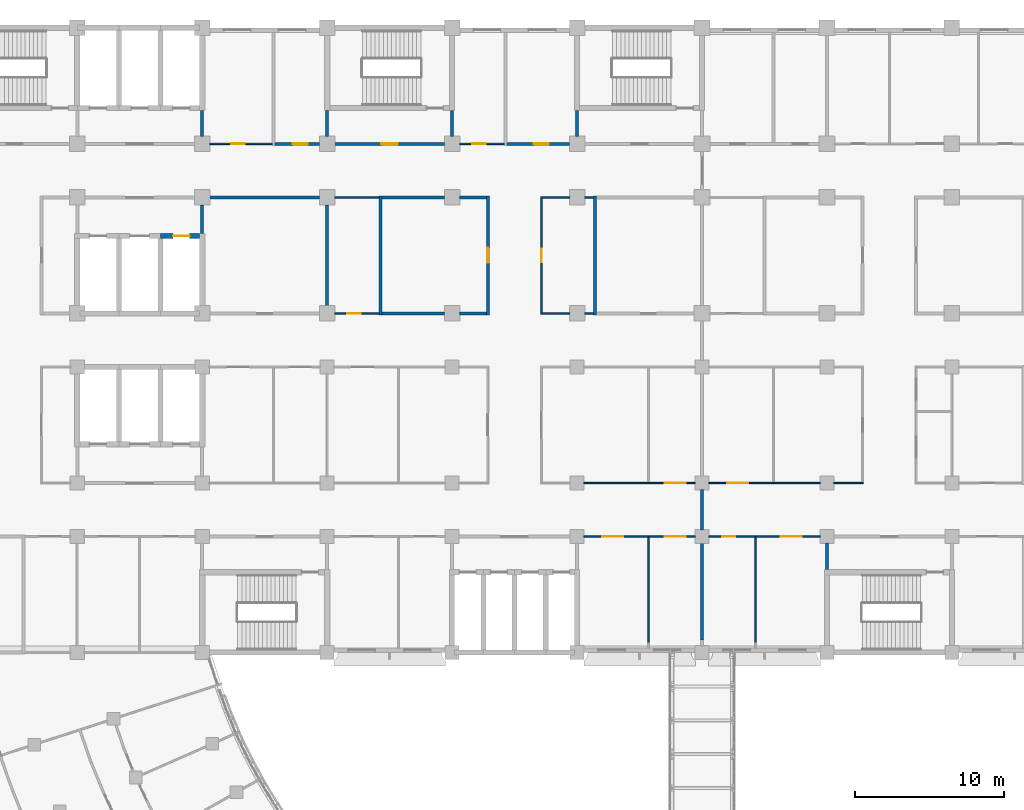
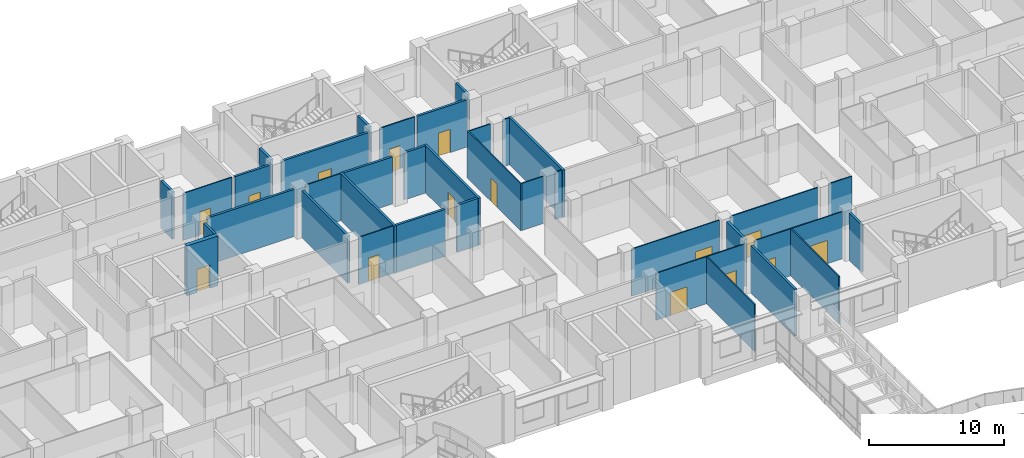
# One storey, part 73 of 136: 37 walls, 15 doors, 15 openings.
"""IFC4 building model written with IfcOpenShell, lengths in metres."""

from ifc_helpers import new_model, si_unit, direction, frame, frame_2d, origin, place, context, subcontext, project, spatial, rectangle, extrude, material, layer, layer_set, type_object, element, fill, save


model = new_model("IFC4")

# Units and contexts
model_context = context("Model", 3, precision=1e-05, world=origin(), true_north=direction((0.0, 1.0)))
body_context = subcontext(model_context, "Body", "Model", "MODEL_VIEW")
ifc_project = project(units=[si_unit("LENGTHUNIT", "METRE"), si_unit("AREAUNIT", "SQUARE_METRE"), si_unit("VOLUMEUNIT", "CUBIC_METRE"), si_unit("PLANEANGLEUNIT", "RADIAN"), si_unit("MASSUNIT", "GRAM", prefix="KILO")], contexts=[model_context])

# Site, building, storey
site_placement = place(None, origin())
site = spatial("IfcSite", under=ifc_project, at=site_placement, CompositionType="ELEMENT")
building_placement = place(site_placement, origin())
building = spatial("IfcBuilding", under=site, at=building_placement, Name="Bougainvillea Quay General Hospital", CompositionType="ELEMENT")
storey_placement = place(building_placement, frame((0.0, 0.0, 5.39990234375)))
storey = spatial("IfcBuildingStorey", under=building, at=storey_placement, Name="L01", CompositionType="ELEMENT", Elevation=5.39990234375)

# Wall
ifc_material_1 = material(Name="Gypsum board partition on steel studs", Category="steel")
ifc_layer_1 = layer(ifc_material_1, 0.10009765625)
ifc_layer_set_1 = layer_set([ifc_layer_1], Name="Gypsum board partition on steel studs")
wall_type_1 = type_object("IfcWallType", Name="Partition 100 Gypsum board partition", PredefinedType="PARTITIONING", material=ifc_layer_set_1)
wall_1_placement = place(storey_placement, frame((120.050048828125, 129.0, 0.0), z_axis=(0.0, 0.0, 1.0), x_axis=(-1.0, 0.0, 0.0)))
element("IfcWall", 1, at=wall_1_placement, inside=storey, type_object=wall_type_1, Name="Partition 100 mm", PredefinedType="PARTITIONING", context=body_context, shape_type="SweptSolid", body=[
    extrude(rectangle(XDim=2.0, YDim=0.10009765625, at=frame_2d((1.0, 0.0))), origin(), (0.0, 0.0, 1.0), 4.25),
])

# Wall, opening, door
wall_2_placement = place(storey_placement, frame((117.14990234375, 129.0, 0.0), z_axis=(0.0, 0.0, 1.0), x_axis=(-1.0, 0.0, 0.0)))
wall_2 = element("IfcWall", 2, at=wall_2_placement, inside=storey, type_object=wall_type_1, Name="Partition 100 mm", PredefinedType="PARTITIONING", context=body_context, shape_type="SweptSolid", body=[
    extrude(rectangle(XDim=7.5, YDim=0.10009765625, at=frame_2d((3.75, 0.0))), origin(), (0.0, 0.0, 1.0), 4.25),
])
opening_1_placement = place(wall_2_placement, frame((4.85009765625, 0.0, 0.0)))
opening_1 = element("IfcOpeningElement", 3, at=opening_1_placement, cuts=wall_2, Name="Opening L01.153", PredefinedType="OPENING", context=body_context, shape_type="SweptSolid", body=[
    extrude(rectangle(XDim=1.39990234375, YDim=2.10009765625, at=frame_2d((0.699951171875, 1.050048828125))), frame((0.0, 0.06005859375, 0.0), z_axis=(0.0, -1.0, 0.0), x_axis=(1.0, 0.0, 0.0)), (0.0, 0.0, 1.0), 0.1201171875),
])
ifc_material_2 = material(Name="Solid-core timber door leaves in steel frame", Category="steel")
door_type_1 = type_object("IfcDoorType", Name="Bed door pair 1400x2100", OperationType="DOUBLE_DOOR_SINGLE_SWING", PredefinedType="DOOR", material=ifc_material_2)
door_1_placement = place(opening_1_placement, frame((1.39990234375, 0.0, 0.0), z_axis=(0.0, 0.0, 1.0), x_axis=(-1.0, 0.0, 0.0)))
door_1 = element("IfcDoor", 4, at=door_1_placement, inside=storey, type_object=door_type_1, Name="DT09 L01.153", OperationType="DOUBLE_DOOR_SINGLE_SWING", OverallHeight=2.10009765625, OverallWidth=1.39990234375, PredefinedType="DOOR", context=body_context, shape_type="SweptSolid", body=[
    extrude(rectangle(XDim=1.39990234375, YDim=2.10009765625, at=frame_2d((0.699951171875, 1.050048828125))), frame((0.0, 0.02490234375, 0.0), z_axis=(0.0, -1.0, 0.0), x_axis=(1.0, 0.0, 0.0)), (0.0, 0.0, 1.0), 0.050048828125),
])
fill(opening_1, door_1)

wall_3_placement = place(storey_placement, frame((108.75, 129.0, 0.0), z_axis=(0.0, 0.0, 1.0), x_axis=(-1.0, 0.0, 0.0)))
wall_3 = element("IfcWall", 5, at=wall_3_placement, inside=storey, type_object=wall_type_1, Name="Partition 100 mm", PredefinedType="PARTITIONING", context=body_context, shape_type="SweptSolid", body=[
    extrude(rectangle(XDim=7.5, YDim=0.10009765625, at=frame_2d((3.75, 0.0))), origin(), (0.0, 0.0, 1.0), 4.25),
])
opening_2_placement = place(wall_3_placement, frame((0.64990234375, 0.0, 0.0)))
opening_2 = element("IfcOpeningElement", 6, at=opening_2_placement, cuts=wall_3, Name="Opening L01.152", PredefinedType="OPENING", context=body_context, shape_type="SweptSolid", body=[
    extrude(rectangle(XDim=1.39990234375, YDim=2.10009765625, at=frame_2d((0.699951171875, 1.050048828125))), frame((0.0, 0.06005859375, 0.0), z_axis=(0.0, -1.0, 0.0), x_axis=(1.0, 0.0, 0.0)), (0.0, 0.0, 1.0), 0.1201171875),
])
door_2_placement = place(opening_2_placement, frame((1.39990234375, 0.0, 0.0), z_axis=(0.0, 0.0, 1.0), x_axis=(-1.0, 0.0, 0.0)))
door_2 = element("IfcDoor", 7, at=door_2_placement, inside=storey, type_object=door_type_1, Name="DT09 L01.152", OperationType="DOUBLE_DOOR_SINGLE_SWING", OverallHeight=2.10009765625, OverallWidth=1.39990234375, PredefinedType="DOOR", context=body_context, shape_type="SweptSolid", body=[
    extrude(rectangle(XDim=1.39990234375, YDim=2.10009765625, at=frame_2d((0.699951171875, 1.050048828125))), frame((0.0, 0.02490234375, 0.0), z_axis=(0.0, -1.0, 0.0), x_axis=(1.0, 0.0, 0.0)), (0.0, 0.0, 1.0), 0.050048828125),
])
fill(opening_2, door_2)

# Wall, openings, doors
wall_4_placement = place(storey_placement, frame((117.14990234375, 125.39990234375, 0.0), z_axis=(0.0, 0.0, 1.0), x_axis=(-1.0, 0.0, 0.0)))
wall_4 = element("IfcWall", 8, at=wall_4_placement, inside=storey, type_object=wall_type_1, Name="Partition 100 mm", PredefinedType="PARTITIONING", context=body_context, shape_type="SweptSolid", body=[
    extrude(rectangle(XDim=7.5, YDim=0.10009765625, at=frame_2d((3.75, 0.0))), origin(), (0.0, 0.0, 1.0), 4.25),
])
opening_3_placement = place(wall_4_placement, frame((5.700927734375, 0.0, 0.0)))
opening_3 = element("IfcOpeningElement", 9, at=opening_3_placement, cuts=wall_4, Name="Opening L01.145", PredefinedType="OPENING", context=body_context, shape_type="SweptSolid", body=[
    extrude(rectangle(XDim=0.89990234375, YDim=2.10009765625, at=frame_2d((0.449951171875, 1.050048828125))), frame((0.0, 0.06005859375, 0.0), z_axis=(0.0, -1.0, 0.0), x_axis=(1.0, 0.0, 0.0)), (0.0, 0.0, 1.0), 0.1201171875),
])
opening_4_placement = place(wall_4_placement, frame((1.251953125, 0.0, 0.0)))
opening_4 = element("IfcOpeningElement", 10, at=opening_4_placement, cuts=wall_4, Name="Opening L01.146", PredefinedType="OPENING", context=body_context, shape_type="SweptSolid", body=[
    extrude(rectangle(XDim=1.39990234375, YDim=2.10009765625, at=frame_2d((0.699951171875, 1.050048828125))), frame((0.0, 0.06005859375, 0.0), z_axis=(0.0, -1.0, 0.0), x_axis=(1.0, 0.0, 0.0)), (0.0, 0.0, 1.0), 0.1201171875),
])
door_3_placement = place(opening_4_placement, origin())
door_3 = element("IfcDoor", 11, at=door_3_placement, inside=storey, type_object=door_type_1, Name="DT09 L01.146", OperationType="DOUBLE_DOOR_SINGLE_SWING", OverallHeight=2.10009765625, OverallWidth=1.39990234375, PredefinedType="DOOR", context=body_context, shape_type="SweptSolid", body=[
    extrude(rectangle(XDim=1.39990234375, YDim=2.10009765625, at=frame_2d((0.699951171875, 1.050048828125))), frame((0.0, 0.02490234375, 0.0), z_axis=(0.0, -1.0, 0.0), x_axis=(1.0, 0.0, 0.0)), (0.0, 0.0, 1.0), 0.050048828125),
])
fill(opening_4, door_3)
ifc_material_3 = material(Name="Solid-core timber door leaf in steel frame", Category="steel")
door_type_2 = type_object("IfcDoorType", Name="Single leaf door 900x2100", OperationType="NOTDEFINED", PredefinedType="DOOR", material=ifc_material_3)
door_4_placement = place(opening_3_placement, origin())
door_4 = element("IfcDoor", 12, at=door_4_placement, inside=storey, type_object=door_type_2, Name="DT07 L01.145", OperationType="SINGLE_SWING_RIGHT", OverallHeight=2.10009765625, OverallWidth=0.89990234375, PredefinedType="DOOR", context=body_context, shape_type="SweptSolid", body=[
    extrude(rectangle(XDim=0.89990234375, YDim=2.10009765625, at=frame_2d((0.449951171875, 1.050048828125))), frame((0.0, 0.02490234375, 0.0), z_axis=(0.0, -1.0, 0.0), x_axis=(1.0, 0.0, 0.0)), (0.0, 0.0, 1.0), 0.050048828125),
])
fill(opening_3, door_4)

wall_5_placement = place(storey_placement, frame((101.25, 125.39990234375, 0.0), z_axis=(0.0, 0.0, 1.0), x_axis=(1.0, 0.0, 0.0)))
wall_5 = element("IfcWall", 13, at=wall_5_placement, inside=storey, type_object=wall_type_1, Name="Partition 100 mm", PredefinedType="PARTITIONING", context=body_context, shape_type="SweptSolid", body=[
    extrude(rectangle(XDim=7.5, YDim=0.10009765625, at=frame_2d((3.75, 0.0))), origin(), (0.0, 0.0, 1.0), 4.25),
])
opening_5_placement = place(wall_5_placement, frame((1.2490234375, 0.0, 0.0)))
opening_5 = element("IfcOpeningElement", 14, at=opening_5_placement, cuts=wall_5, Name="Opening L01.143", PredefinedType="OPENING", context=body_context, shape_type="SweptSolid", body=[
    extrude(rectangle(XDim=1.39990234375, YDim=2.10009765625, at=frame_2d((0.699951171875, 1.050048828125))), frame((0.0, 0.06005859375, 0.0), z_axis=(0.0, -1.0, 0.0), x_axis=(1.0, 0.0, 0.0)), (0.0, 0.0, 1.0), 0.1201171875),
])
opening_6_placement = place(wall_5_placement, frame((5.447998046875, 0.0, 0.0)))
opening_6 = element("IfcOpeningElement", 15, at=opening_6_placement, cuts=wall_5, Name="Opening L01.144", PredefinedType="OPENING", context=body_context, shape_type="SweptSolid", body=[
    extrude(rectangle(XDim=1.39990234375, YDim=2.10009765625, at=frame_2d((0.699951171875, 1.050048828125))), frame((0.0, 0.06005859375, 0.0), z_axis=(0.0, -1.0, 0.0), x_axis=(1.0, 0.0, 0.0)), (0.0, 0.0, 1.0), 0.1201171875),
])
door_5_placement = place(opening_5_placement, frame((1.39990234375, 0.0, 0.0), z_axis=(0.0, 0.0, 1.0), x_axis=(-1.0, 0.0, 0.0)))
door_5 = element("IfcDoor", 16, at=door_5_placement, inside=storey, type_object=door_type_1, Name="DT09 L01.143", OperationType="DOUBLE_DOOR_SINGLE_SWING", OverallHeight=2.10009765625, OverallWidth=1.39990234375, PredefinedType="DOOR", context=body_context, shape_type="SweptSolid", body=[
    extrude(rectangle(XDim=1.39990234375, YDim=2.10009765625, at=frame_2d((0.699951171875, 1.050048828125))), frame((0.0, 0.02490234375, 0.0), z_axis=(0.0, -1.0, 0.0), x_axis=(1.0, 0.0, 0.0)), (0.0, 0.0, 1.0), 0.050048828125),
])
fill(opening_5, door_5)
door_6_placement = place(opening_6_placement, frame((1.39990234375, 0.0, 0.0), z_axis=(0.0, 0.0, 1.0), x_axis=(-1.0, 0.0, 0.0)))
door_6 = element("IfcDoor", 17, at=door_6_placement, inside=storey, type_object=door_type_1, Name="DT09 L01.144", OperationType="DOUBLE_DOOR_SINGLE_SWING", OverallHeight=2.10009765625, OverallWidth=1.39990234375, PredefinedType="DOOR", context=body_context, shape_type="SweptSolid", body=[
    extrude(rectangle(XDim=1.39990234375, YDim=2.10009765625, at=frame_2d((0.699951171875, 1.050048828125))), frame((0.0, 0.02490234375, 0.0), z_axis=(0.0, -1.0, 0.0), x_axis=(1.0, 0.0, 0.0)), (0.0, 0.0, 1.0), 0.050048828125),
])
fill(opening_6, door_6)

# Walls
for number, where, z_axis, x_axis, name in (
    (18, (105.597900390625, 118.25, 0.0), (0.0, 0.0, 1.0), (0.0, 1.0, 0.0), "Partition 100 mm"),
    (19, (112.798095703125, 118.25, 0.0), (0.0, 0.0, 1.0), (0.0, 1.0, 0.0), "Partition 100 mm"),
):
    element("IfcWall", number, at=place(storey_placement, frame(where, z_axis=z_axis, x_axis=x_axis)), inside=storey, type_object=wall_type_1, Name=name, PredefinedType="PARTITIONING", context=body_context, shape_type="SweptSolid", body=[
        extrude(rectangle(XDim=7.10009765625, YDim=0.10009765625, at=frame_2d((3.550048828125, 0.0))), origin(), (0.0, 0.0, 1.0), 4.25),
    ])

# Wall, opening, door
wall_6_placement = place(storey_placement, frame((98.39990234375, 140.35009765625, 0.0), z_axis=(0.0, 0.0, 1.0), x_axis=(0.0, 1.0, 0.0)))
wall_6 = element("IfcWall", 20, at=wall_6_placement, inside=storey, type_object=wall_type_1, Name="Partition 100 mm", PredefinedType="PARTITIONING", context=body_context, shape_type="SweptSolid", body=[
    extrude(rectangle(XDim=7.89990234375, YDim=0.10009765625, at=frame_2d((3.949951171875, 0.0))), origin(), (0.0, 0.0, 1.0), 4.25),
])
opening_7_placement = place(wall_6_placement, frame((3.5, 0.0, 0.0)))
opening_7 = element("IfcOpeningElement", 21, at=opening_7_placement, cuts=wall_6, Name="Opening L01.195", PredefinedType="OPENING", context=body_context, shape_type="SweptSolid", body=[
    extrude(rectangle(XDim=0.89990234375, YDim=2.10009765625, at=frame_2d((0.449951171875, 1.050048828125))), frame((0.0, 0.06005859375, 0.0), z_axis=(0.0, -1.0, 0.0), x_axis=(1.0, 0.0, 0.0)), (0.0, 0.0, 1.0), 0.1201171875),
])
door_7_placement = place(opening_7_placement, frame((0.89990234375, 0.0, 0.0), z_axis=(0.0, 0.0, 1.0), x_axis=(-1.0, 0.0, 0.0)))
door_7 = element("IfcDoor", 22, at=door_7_placement, inside=storey, type_object=door_type_2, Name="DT07 L01.195", OperationType="SINGLE_SWING_RIGHT", OverallHeight=2.10009765625, OverallWidth=0.89990234375, PredefinedType="DOOR", context=body_context, shape_type="SweptSolid", body=[
    extrude(rectangle(XDim=0.89990234375, YDim=2.10009765625, at=frame_2d((0.449951171875, 1.050048828125))), frame((0.0, 0.02490234375, 0.0), z_axis=(0.0, -1.0, 0.0), x_axis=(1.0, 0.0, 0.0)), (0.0, 0.0, 1.0), 0.050048828125),
])
fill(opening_7, door_7)

wall_7_placement = place(storey_placement, frame((76.10009765625, 151.800048828125, 0.0), z_axis=(0.0, 0.0, 1.0), x_axis=(1.0, 0.0, 0.0)))
wall_7 = element("IfcWall", 23, at=wall_7_placement, inside=storey, type_object=wall_type_1, Name="Partition 100 mm", PredefinedType="PARTITIONING", context=body_context, shape_type="SweptSolid", body=[
    extrude(rectangle(XDim=4.199951171875, YDim=0.10009765625, at=frame_2d((2.10009765625, 0.0))), origin(), (0.0, 0.0, 1.0), 4.25),
])
opening_8_placement = place(wall_7_placement, frame((1.449951171875, 0.0, 0.0)))
opening_8 = element("IfcOpeningElement", 24, at=opening_8_placement, cuts=wall_7, Name="Opening L01.191", PredefinedType="OPENING", context=body_context, shape_type="SweptSolid", body=[
    extrude(rectangle(XDim=0.89990234375, YDim=2.10009765625, at=frame_2d((0.449951171875, 1.050048828125))), frame((0.0, 0.06005859375, 0.0), z_axis=(0.0, -1.0, 0.0), x_axis=(1.0, 0.0, 0.0)), (0.0, 0.0, 1.0), 0.1201171875),
])
door_8_placement = place(opening_8_placement, origin())
door_8 = element("IfcDoor", 25, at=door_8_placement, inside=storey, type_object=door_type_2, Name="DT07 L01.191", OperationType="SINGLE_SWING_LEFT", OverallHeight=2.10009765625, OverallWidth=0.89990234375, PredefinedType="DOOR", context=body_context, shape_type="SweptSolid", body=[
    extrude(rectangle(XDim=0.89990234375, YDim=2.10009765625, at=frame_2d((0.449951171875, 1.050048828125))), frame((0.0, 0.02490234375, 0.0), z_axis=(0.0, -1.0, 0.0), x_axis=(1.0, 0.0, 0.0)), (0.0, 0.0, 1.0), 0.050048828125),
])
fill(opening_8, door_8)

wall_8_placement = place(storey_placement, frame((84.5, 140.39990234375, 0.0), z_axis=(0.0, 0.0, 1.0), x_axis=(1.0, 0.0, 0.0)))
wall_8 = element("IfcWall", 26, at=wall_8_placement, inside=storey, type_object=wall_type_1, Name="Partition 100 mm", PredefinedType="PARTITIONING", context=body_context, shape_type="SweptSolid", body=[
    extrude(rectangle(XDim=3.0, YDim=0.10009765625, at=frame_2d((1.5, 0.0))), origin(), (0.0, 0.0, 1.0), 4.25),
])
opening_9_placement = place(wall_8_placement, frame((0.85009765625, 0.0, 0.0)))
opening_9 = element("IfcOpeningElement", 27, at=opening_9_placement, cuts=wall_8, Name="Opening L01.189", PredefinedType="OPENING", context=body_context, shape_type="SweptSolid", body=[
    extrude(rectangle(XDim=0.89990234375, YDim=2.10009765625, at=frame_2d((0.449951171875, 1.050048828125))), frame((0.0, 0.06005859375, 0.0), z_axis=(0.0, -1.0, 0.0), x_axis=(1.0, 0.0, 0.0)), (0.0, 0.0, 1.0), 0.1201171875),
])
door_9_placement = place(opening_9_placement, origin())
door_9 = element("IfcDoor", 28, at=door_9_placement, inside=storey, type_object=door_type_2, Name="DT07 L01.189", OperationType="SINGLE_SWING_LEFT", OverallHeight=2.10009765625, OverallWidth=0.89990234375, PredefinedType="DOOR", context=body_context, shape_type="SweptSolid", body=[
    extrude(rectangle(XDim=0.89990234375, YDim=2.10009765625, at=frame_2d((0.449951171875, 1.050048828125))), frame((0.0, 0.02490234375, 0.0), z_axis=(0.0, -1.0, 0.0), x_axis=(1.0, 0.0, 0.0)), (0.0, 0.0, 1.0), 0.050048828125),
])
fill(opening_9, door_9)

# Wall
wall_9_placement = place(storey_placement, frame((84.5, 148.199951171875, 0.0), z_axis=(0.0, 0.0, 1.0), x_axis=(1.0, 0.0, 0.0)))
element("IfcWall", 29, at=wall_9_placement, inside=storey, type_object=wall_type_1, Name="Partition 100 mm", PredefinedType="PARTITIONING", context=body_context, shape_type="SweptSolid", body=[
    extrude(rectangle(XDim=3.0, YDim=0.10009765625, at=frame_2d((1.5, 0.0))), origin(), (0.0, 0.0, 1.0), 4.25),
])

# Wall, opening, door
wall_10_placement = place(storey_placement, frame((92.89990234375, 151.800048828125, 0.0), z_axis=(0.0, 0.0, 1.0), x_axis=(1.0, 0.0, 0.0)))
wall_10 = element("IfcWall", 30, at=wall_10_placement, inside=storey, type_object=wall_type_1, Name="Partition 100 mm", PredefinedType="PARTITIONING", context=body_context, shape_type="SweptSolid", body=[
    extrude(rectangle(XDim=3.0, YDim=0.10009765625, at=frame_2d((1.5, 0.0))), origin(), (0.0, 0.0, 1.0), 4.25),
])
opening_10_placement = place(wall_10_placement, frame((0.85009765625, 0.0, 0.0)))
opening_10 = element("IfcOpeningElement", 31, at=opening_10_placement, cuts=wall_10, Name="Opening L01.193", PredefinedType="OPENING", context=body_context, shape_type="SweptSolid", body=[
    extrude(rectangle(XDim=0.89990234375, YDim=2.10009765625, at=frame_2d((0.449951171875, 1.050048828125))), frame((0.0, 0.06005859375, 0.0), z_axis=(0.0, -1.0, 0.0), x_axis=(1.0, 0.0, 0.0)), (0.0, 0.0, 1.0), 0.1201171875),
])
door_10_placement = place(opening_10_placement, origin())
door_10 = element("IfcDoor", 32, at=door_10_placement, inside=storey, type_object=door_type_2, Name="DT07 L01.193", OperationType="SINGLE_SWING_LEFT", OverallHeight=2.10009765625, OverallWidth=0.89990234375, PredefinedType="DOOR", context=body_context, shape_type="SweptSolid", body=[
    extrude(rectangle(XDim=0.89990234375, YDim=2.10009765625, at=frame_2d((0.449951171875, 1.050048828125))), frame((0.0, 0.02490234375, 0.0), z_axis=(0.0, -1.0, 0.0), x_axis=(1.0, 0.0, 0.0)), (0.0, 0.0, 1.0), 0.050048828125),
])
fill(opening_10, door_10)

# Walls
wall_11_placement = place(storey_placement, frame((98.449951171875, 140.39990234375, 0.0), z_axis=(0.0, 0.0, 1.0), x_axis=(1.0, 0.0, 0.0)))
element("IfcWall", 33, at=wall_11_placement, inside=storey, type_object=wall_type_1, Name="Partition 100 mm", PredefinedType="PARTITIONING", context=body_context, shape_type="SweptSolid", body=[
    extrude(rectangle(XDim=1.85009765625, YDim=0.10009765625, at=frame_2d((0.925048828125, 0.0))), origin(), (0.0, 0.0, 1.0), 4.25),
])
wall_12_placement = place(storey_placement, frame((101.300048828125, 140.39990234375, 0.0), z_axis=(0.0, 0.0, 1.0), x_axis=(1.0, 0.0, 0.0)))
element("IfcWall", 34, at=wall_12_placement, inside=storey, type_object=wall_type_1, Name="Partition 100 mm", PredefinedType="PARTITIONING", context=body_context, shape_type="SweptSolid", body=[
    extrude(rectangle(XDim=0.599853515625, YDim=0.10009765625, at=frame_2d((0.2998046875, 0.0))), origin(), (0.0, 0.0, 1.0), 4.25),
])
wall_13_placement = place(storey_placement, frame((98.449951171875, 148.199951171875, 0.0), z_axis=(0.0, 0.0, 1.0), x_axis=(1.0, 0.0, 0.0)))
element("IfcWall", 35, at=wall_13_placement, inside=storey, type_object=wall_type_1, Name="Partition 100 mm", PredefinedType="PARTITIONING", context=body_context, shape_type="SweptSolid", body=[
    extrude(rectangle(XDim=1.85009765625, YDim=0.10009765625, at=frame_2d((0.925048828125, 0.0))), origin(), (0.0, 0.0, 1.0), 4.25),
])
wall_14_placement = place(storey_placement, frame((101.300048828125, 148.199951171875, 0.0), z_axis=(0.0, 0.0, 1.0), x_axis=(1.0, 0.0, 0.0)))
element("IfcWall", 36, at=wall_14_placement, inside=storey, type_object=wall_type_1, Name="Partition 100 mm", PredefinedType="PARTITIONING", context=body_context, shape_type="SweptSolid", body=[
    extrude(rectangle(XDim=0.599853515625, YDim=0.10009765625, at=frame_2d((0.2998046875, 0.0))), origin(), (0.0, 0.0, 1.0), 4.25),
])
ifc_material_4 = material(Name="Fire-rated autoclaved aerated block wall, plastered")
ifc_layer_2 = layer(ifc_material_4, 0.199951171875)
ifc_layer_set_2 = layer_set([ifc_layer_2], Name="Fire-rated autoclaved aerated block wall, plastered")
wall_type_2 = type_object("IfcWallType", Name="Partition 200 Fire-rated autoclaved aerated block wall EI 120", PredefinedType="SOLIDWALL", material=ifc_layer_set_2)
wall_15_placement = place(storey_placement, frame((109.199951171875, 128.550048828125, 0.0), z_axis=(0.0, 0.0, 1.0), x_axis=(0.0, -1.0, 0.0)))
element("IfcWall", 37, at=wall_15_placement, inside=storey, type_object=wall_type_2, Name="Partition 200 mm EI 120", PredefinedType="SOLIDWALL", context=body_context, shape_type="SweptSolid", body=[
    extrude(rectangle(XDim=2.699951171875, YDim=0.199951171875, at=frame_2d((1.35009765625, 0.0))), origin(), (0.0, 0.0, 1.0), 4.25),
])

# Wall, opening, door
wall_16_placement = place(storey_placement, frame((84.5, 151.800048828125, 0.0), z_axis=(0.0, 0.0, 1.0), x_axis=(1.0, 0.0, 0.0)))
wall_16 = element("IfcWall", 38, at=wall_16_placement, inside=storey, type_object=wall_type_2, Name="Partition 200 mm EI 120", PredefinedType="SOLIDWALL", context=body_context, shape_type="SweptSolid", body=[
    extrude(rectangle(XDim=7.39990234375, YDim=0.199951171875, at=frame_2d((3.699951171875, 0.0))), origin(), (0.0, 0.0, 1.0), 4.25),
])
opening_11_placement = place(wall_16_placement, frame((3.14990234375, 0.0, 0.0)))
opening_11 = element("IfcOpeningElement", 39, at=opening_11_placement, cuts=wall_16, Name="Opening L01.036", PredefinedType="OPENING", context=body_context, shape_type="SweptSolid", body=[
    extrude(rectangle(XDim=1.10009765625, YDim=2.10009765625, at=frame_2d((0.550048828125, 1.050048828125))), frame((0.0, 0.10986328125, 0.0), z_axis=(0.0, -1.0, 0.0), x_axis=(1.0, 0.0, 0.0)), (0.0, 0.0, 1.0), 0.219970703125),
])
ifc_material_5 = material(Name="Steel fire door leaf in steel frame", Category="steel")
door_type_3 = type_object("IfcDoorType", Name="Steel single leaf door 1100x2100 FD60", OperationType="NOTDEFINED", PredefinedType="DOOR", material=ifc_material_5)
door_11_placement = place(opening_11_placement, origin())
door_11 = element("IfcDoor", 40, at=door_11_placement, inside=storey, type_object=door_type_3, Name="DT04 L01.036", OperationType="SINGLE_SWING_RIGHT", OverallHeight=2.10009765625, OverallWidth=1.10009765625, PredefinedType="DOOR", context=body_context, shape_type="SweptSolid", body=[
    extrude(rectangle(XDim=1.10009765625, YDim=2.10009765625, at=frame_2d((0.550048828125, 1.050048828125))), frame((0.0, 0.02490234375, 0.0), z_axis=(0.0, -1.0, 0.0), x_axis=(1.0, 0.0, 0.0)), (0.0, 0.0, 1.0), 0.050048828125),
])
fill(opening_11, door_11)

# Walls
wall_17_placement = place(storey_placement, frame((109.197998046875, 118.449951171875, 0.0), z_axis=(0.0, 0.0, 1.0), x_axis=(0.0, 1.0, 0.0)))
element("IfcWall", 41, at=wall_17_placement, inside=storey, type_object=wall_type_2, Name="Partition 200 mm EI 120", PredefinedType="SOLIDWALL", context=body_context, shape_type="SweptSolid", body=[
    extrude(rectangle(XDim=6.5, YDim=0.199951171875, at=frame_2d((3.25, 0.0))), origin(), (0.0, 0.0, 1.0), 4.25),
])
wall_18_placement = place(storey_placement, frame((75.60009765625, 145.77490234375, 0.0), z_axis=(0.0, 0.0, 1.0), x_axis=(0.0, 1.0, 0.0)))
element("IfcWall", 42, at=wall_18_placement, inside=storey, type_object=wall_type_2, Name="Partition 200 mm EI 120", PredefinedType="SOLIDWALL", context=body_context, shape_type="SweptSolid", body=[
    extrude(rectangle(XDim=1.925048828125, YDim=0.199951171875, at=frame_2d((0.96240234375, 0.0))), origin(), (0.0, 0.0, 1.0), 4.25),
])
wall_19_placement = place(storey_placement, frame((117.60009765625, 123.175048828125, 0.0), z_axis=(0.0, 0.0, 1.0), x_axis=(0.0, 1.0, 0.0)))
element("IfcWall", 43, at=wall_19_placement, inside=storey, type_object=wall_type_2, Name="Partition 200 mm EI 120", PredefinedType="SOLIDWALL", context=body_context, shape_type="SweptSolid", body=[
    extrude(rectangle(XDim=1.77490234375, YDim=0.199951171875, at=frame_2d((0.887451171875, 0.0))), origin(), (0.0, 0.0, 1.0), 4.25),
])
for number, where, z_axis, x_axis, name in (
    (44, (75.60009765625, 152.300048828125, 0.0), (0.0, 0.0, 1.0), (0.0, 1.0, 0.0), "Partition 200 mm EI 120"),
    (45, (84.0, 152.300048828125, 0.0), (0.0, 0.0, 1.0), (0.0, 1.0, 0.0), "Partition 200 mm EI 120"),
    (46, (92.39990234375, 152.300048828125, 0.0), (0.0, 0.0, 1.0), (0.0, 1.0, 0.0), "Partition 200 mm EI 120"),
    (47, (100.800048828125, 152.300048828125, 0.0), (0.0, 0.0, 1.0), (0.0, 1.0, 0.0), "Partition 200 mm EI 120"),
):
    element("IfcWall", number, at=place(storey_placement, frame(where, z_axis=z_axis, x_axis=x_axis)), inside=storey, type_object=wall_type_2, Name=name, PredefinedType="SOLIDWALL", context=body_context, shape_type="SweptSolid", body=[
        extrude(rectangle(XDim=1.724853515625, YDim=0.199951171875, at=frame_2d((0.8623046875, 0.0))), origin(), (0.0, 0.0, 1.0), 4.25),
    ])
ifc_layer_3 = layer(ifc_material_4, 0.199951171875)
ifc_layer_set_3 = layer_set([ifc_layer_3], Name="Fire-rated autoclaved aerated block wall, plastered")
wall_type_3 = type_object("IfcWallType", Name="Partition 200 Fire-rated autoclaved aerated block wall EI 60", PredefinedType="SOLIDWALL", material=ifc_layer_set_3)
wall_20_placement = place(storey_placement, frame((76.10009765625, 148.199951171875, 0.0), z_axis=(0.0, 0.0, 1.0), x_axis=(1.0, 0.0, 0.0)))
element("IfcWall", 48, at=wall_20_placement, inside=storey, type_object=wall_type_3, Name="Partition 200 mm EI 60", PredefinedType="SOLIDWALL", context=body_context, shape_type="SweptSolid", body=[
    extrude(rectangle(XDim=7.39990234375, YDim=0.199951171875, at=frame_2d((3.699951171875, 0.0))), origin(), (0.0, 0.0, 1.0), 4.25),
])
wall_21_placement = place(storey_placement, frame((84.0, 140.89990234375, 0.0), z_axis=(0.0, 0.0, 1.0), x_axis=(0.0, 1.0, 0.0)))
element("IfcWall", 49, at=wall_21_placement, inside=storey, type_object=wall_type_3, Name="Partition 200 mm EI 60", PredefinedType="SOLIDWALL", context=body_context, shape_type="SweptSolid", body=[
    extrude(rectangle(XDim=6.800048828125, YDim=0.199951171875, at=frame_2d((3.39990234375, 0.0))), origin(), (0.0, 0.0, 1.0), 4.25),
])
wall_22_placement = place(storey_placement, frame((87.60009765625, 140.300048828125, 0.0), z_axis=(0.0, 0.0, 1.0), x_axis=(0.0, 1.0, 0.0)))
element("IfcWall", 50, at=wall_22_placement, inside=storey, type_object=wall_type_3, Name="Partition 200 mm EI 60", PredefinedType="SOLIDWALL", context=body_context, shape_type="SweptSolid", body=[
    extrude(rectangle(XDim=8.0, YDim=0.199951171875, at=frame_2d((4.0, 0.0))), origin(), (0.0, 0.0, 1.0), 4.25),
])

# Wall, opening, door
wall_23_placement = place(storey_placement, frame((94.800048828125, 140.300048828125, 0.0), z_axis=(0.0, 0.0, 1.0), x_axis=(0.0, 1.0, 0.0)))
wall_23 = element("IfcWall", 51, at=wall_23_placement, inside=storey, type_object=wall_type_3, Name="Partition 200 mm EI 60", PredefinedType="SOLIDWALL", context=body_context, shape_type="SweptSolid", body=[
    extrude(rectangle(XDim=8.0, YDim=0.199951171875, at=frame_2d((4.0, 0.0))), origin(), (0.0, 0.0, 1.0), 4.25),
])
opening_12_placement = place(wall_23_placement, frame((3.5, 0.0, 0.0)))
opening_12 = element("IfcOpeningElement", 52, at=opening_12_placement, cuts=wall_23, Name="Opening L01.190", PredefinedType="OPENING", context=body_context, shape_type="SweptSolid", body=[
    extrude(rectangle(XDim=1.0, YDim=2.10009765625, at=frame_2d((0.5, 1.050048828125))), frame((0.0, 0.10986328125, 0.0), z_axis=(0.0, -1.0, 0.0), x_axis=(1.0, 0.0, 0.0)), (0.0, 0.0, 1.0), 0.219970703125),
])
door_type_4 = type_object("IfcDoorType", Name="Steel single leaf door 1000x2100 FD60", OperationType="NOTDEFINED", PredefinedType="DOOR", material=ifc_material_5)
door_12_placement = place(opening_12_placement, origin())
door_12 = element("IfcDoor", 53, at=door_12_placement, inside=storey, type_object=door_type_4, Name="DT10 L01.190", OperationType="SINGLE_SWING_LEFT", OverallHeight=2.10009765625, OverallWidth=1.0, PredefinedType="DOOR", context=body_context, shape_type="SweptSolid", body=[
    extrude(rectangle(XDim=1.0, YDim=2.10009765625, at=frame_2d((0.5, 1.050048828125))), frame((0.0, 0.02490234375, 0.0), z_axis=(0.0, -1.0, 0.0), x_axis=(1.0, 0.0, 0.0)), (0.0, 0.0, 1.0), 0.050048828125),
])
fill(opening_12, door_12)

# Walls
wall_24_placement = place(storey_placement, frame((102.0, 140.300048828125, 0.0), z_axis=(0.0, 0.0, 1.0), x_axis=(0.0, 1.0, 0.0)))
element("IfcWall", 54, at=wall_24_placement, inside=storey, type_object=wall_type_3, Name="Partition 200 mm EI 60", PredefinedType="SOLIDWALL", context=body_context, shape_type="SweptSolid", body=[
    extrude(rectangle(XDim=8.0, YDim=0.199951171875, at=frame_2d((4.0, 0.0))), origin(), (0.0, 0.0, 1.0), 4.25),
])
wall_25_placement = place(storey_placement, frame((87.699951171875, 140.39990234375, 0.0), z_axis=(0.0, 0.0, 1.0), x_axis=(1.0, 0.0, 0.0)))
element("IfcWall", 55, at=wall_25_placement, inside=storey, type_object=wall_type_3, Name="Partition 200 mm EI 60", PredefinedType="SOLIDWALL", context=body_context, shape_type="SweptSolid", body=[
    extrude(rectangle(XDim=4.199951171875, YDim=0.199951171875, at=frame_2d((2.10009765625, 0.0))), origin(), (0.0, 0.0, 1.0), 4.25),
])
wall_26_placement = place(storey_placement, frame((92.89990234375, 140.39990234375, 0.0), z_axis=(0.0, 0.0, 1.0), x_axis=(1.0, 0.0, 0.0)))
element("IfcWall", 56, at=wall_26_placement, inside=storey, type_object=wall_type_3, Name="Partition 200 mm EI 60", PredefinedType="SOLIDWALL", context=body_context, shape_type="SweptSolid", body=[
    extrude(rectangle(XDim=1.800048828125, YDim=0.199951171875, at=frame_2d((0.89990234375, 0.0))), origin(), (0.0, 0.0, 1.0), 4.25),
])
wall_27_placement = place(storey_placement, frame((87.699951171875, 148.199951171875, 0.0), z_axis=(0.0, 0.0, 1.0), x_axis=(1.0, 0.0, 0.0)))
element("IfcWall", 57, at=wall_27_placement, inside=storey, type_object=wall_type_3, Name="Partition 200 mm EI 60", PredefinedType="SOLIDWALL", context=body_context, shape_type="SweptSolid", body=[
    extrude(rectangle(XDim=4.199951171875, YDim=0.199951171875, at=frame_2d((2.10009765625, 0.0))), origin(), (0.0, 0.0, 1.0), 4.25),
])
wall_28_placement = place(storey_placement, frame((92.89990234375, 148.199951171875, 0.0), z_axis=(0.0, 0.0, 1.0), x_axis=(1.0, 0.0, 0.0)))
element("IfcWall", 58, at=wall_28_placement, inside=storey, type_object=wall_type_3, Name="Partition 200 mm EI 60", PredefinedType="SOLIDWALL", context=body_context, shape_type="SweptSolid", body=[
    extrude(rectangle(XDim=1.800048828125, YDim=0.199951171875, at=frame_2d((0.89990234375, 0.0))), origin(), (0.0, 0.0, 1.0), 4.25),
])

# Wall, opening, door
wall_29_placement = place(storey_placement, frame((96.10009765625, 151.800048828125, 0.0), z_axis=(0.0, 0.0, 1.0), x_axis=(1.0, 0.0, 0.0)))
wall_29 = element("IfcWall", 59, at=wall_29_placement, inside=storey, type_object=wall_type_3, Name="Partition 200 mm EI 60", PredefinedType="SOLIDWALL", context=body_context, shape_type="SweptSolid", body=[
    extrude(rectangle(XDim=4.199951171875, YDim=0.199951171875, at=frame_2d((2.10009765625, 0.0))), origin(), (0.0, 0.0, 1.0), 4.25),
])
opening_13_placement = place(wall_29_placement, frame((1.800048828125, 0.0, 0.0)))
opening_13 = element("IfcOpeningElement", 60, at=opening_13_placement, cuts=wall_29, Name="Opening L01.194", PredefinedType="OPENING", context=body_context, shape_type="SweptSolid", body=[
    extrude(rectangle(XDim=1.0, YDim=2.10009765625, at=frame_2d((0.5, 1.050048828125))), frame((0.0, 0.10986328125, 0.0), z_axis=(0.0, -1.0, 0.0), x_axis=(1.0, 0.0, 0.0)), (0.0, 0.0, 1.0), 0.219970703125),
])
door_13_placement = place(opening_13_placement, origin())
door_13 = element("IfcDoor", 61, at=door_13_placement, inside=storey, type_object=door_type_4, Name="DT10 L01.194", OperationType="SINGLE_SWING_RIGHT", OverallHeight=2.10009765625, OverallWidth=1.0, PredefinedType="DOOR", context=body_context, shape_type="SweptSolid", body=[
    extrude(rectangle(XDim=1.0, YDim=2.10009765625, at=frame_2d((0.5, 1.050048828125))), frame((0.0, 0.02490234375, 0.0), z_axis=(0.0, -1.0, 0.0), x_axis=(1.0, 0.0, 0.0)), (0.0, 0.0, 1.0), 0.050048828125),
])
fill(opening_13, door_13)

wall_30_placement = place(storey_placement, frame((80.5, 151.800048828125, 0.0), z_axis=(0.0, 0.0, 1.0), x_axis=(1.0, 0.0, 0.0)))
wall_30 = element("IfcWall", 62, at=wall_30_placement, inside=storey, type_object=wall_type_3, Name="Partition 200 mm EI 60", PredefinedType="SOLIDWALL", context=body_context, shape_type="SweptSolid", body=[
    extrude(rectangle(XDim=3.0, YDim=0.199951171875, at=frame_2d((1.5, 0.0))), origin(), (0.0, 0.0, 1.0), 4.25),
])
opening_14_placement = place(wall_30_placement, frame((1.199951171875, 0.0, 0.0)))
opening_14 = element("IfcOpeningElement", 63, at=opening_14_placement, cuts=wall_30, Name="Opening L01.192", PredefinedType="OPENING", context=body_context, shape_type="SweptSolid", body=[
    extrude(rectangle(XDim=1.0, YDim=2.10009765625, at=frame_2d((0.5, 1.050048828125))), frame((0.0, 0.10986328125, 0.0), z_axis=(0.0, -1.0, 0.0), x_axis=(1.0, 0.0, 0.0)), (0.0, 0.0, 1.0), 0.219970703125),
])
door_14_placement = place(opening_14_placement, origin())
door_14 = element("IfcDoor", 64, at=door_14_placement, inside=storey, type_object=door_type_4, Name="DT10 L01.192", OperationType="SINGLE_SWING_RIGHT", OverallHeight=2.10009765625, OverallWidth=1.0, PredefinedType="DOOR", context=body_context, shape_type="SweptSolid", body=[
    extrude(rectangle(XDim=1.0, YDim=2.10009765625, at=frame_2d((0.5, 1.050048828125))), frame((0.0, 0.02490234375, 0.0), z_axis=(0.0, -1.0, 0.0), x_axis=(1.0, 0.0, 0.0)), (0.0, 0.0, 1.0), 0.050048828125),
])
fill(opening_14, door_14)

ifc_material_6 = material(Name="Concrete C40", Category="concrete")
ifc_layer_4 = layer(ifc_material_6, 0.35009765625)
ifc_layer_set_4 = layer_set([ifc_layer_4], Name="Concrete C40")
wall_type_4 = type_object("IfcWallType", Name="RC SHEAR WALL 350 C40", PredefinedType="SHEAR", material=ifc_layer_set_4)
wall_31_placement = place(storey_placement, frame((72.800048828125, 145.60009765625, 0.0), z_axis=(0.0, 0.0, 1.0), x_axis=(1.0, 0.0, 0.0)))
wall_31 = element("IfcWall", 65, at=wall_31_placement, inside=storey, type_object=wall_type_4, Name="Shear wall L01", PredefinedType="SHEAR", context=body_context, shape_type="SweptSolid", body=[
    extrude(rectangle(XDim=2.625, YDim=0.35009765625, at=frame_2d((1.3125, 0.0))), origin(), (0.0, 0.0, 1.0), 4.5),
])
opening_15_placement = place(wall_31_placement, frame((0.85009765625, 0.0, 0.0)))
opening_15 = element("IfcOpeningElement", 66, at=opening_15_placement, cuts=wall_31, Name="Opening LD-A1.3-L01", PredefinedType="OPENING", context=body_context, shape_type="SweptSolid", body=[
    extrude(rectangle(XDim=1.10009765625, YDim=2.10009765625, at=frame_2d((0.550048828125, 1.050048828125))), frame((0.0, 0.18505859375, 0.0), z_axis=(0.0, -1.0, 0.0), x_axis=(1.0, 0.0, 0.0)), (0.0, 0.0, 1.0), 0.3701171875),
])
ifc_material_7 = material(Name="Stainless steel centre-opening landing door", Category="steel")
door_type_5 = type_object("IfcDoorType", Name="Lift landing door 1100x2100 E 120", OperationType="DOUBLE_DOOR_SLIDING", PredefinedType="DOOR", material=ifc_material_7)
door_15_placement = place(opening_15_placement, origin())
door_15 = element("IfcDoor", 67, at=door_15_placement, inside=storey, type_object=door_type_5, Name="Lift landing door LB-A1-3 L01", OperationType="DOUBLE_DOOR_SLIDING", OverallHeight=2.10009765625, OverallWidth=1.10009765625, PredefinedType="DOOR", context=body_context, shape_type="SweptSolid", body=[
    extrude(rectangle(XDim=1.10009765625, YDim=2.10009765625, at=frame_2d((0.550048828125, 1.050048828125))), frame((0.0, 0.02490234375, 0.0), z_axis=(0.0, -1.0, 0.0), x_axis=(1.0, 0.0, 0.0)), (0.0, 0.0, 1.0), 0.050048828125),
])
fill(opening_15, door_15)

save(model, "model.ifc")
